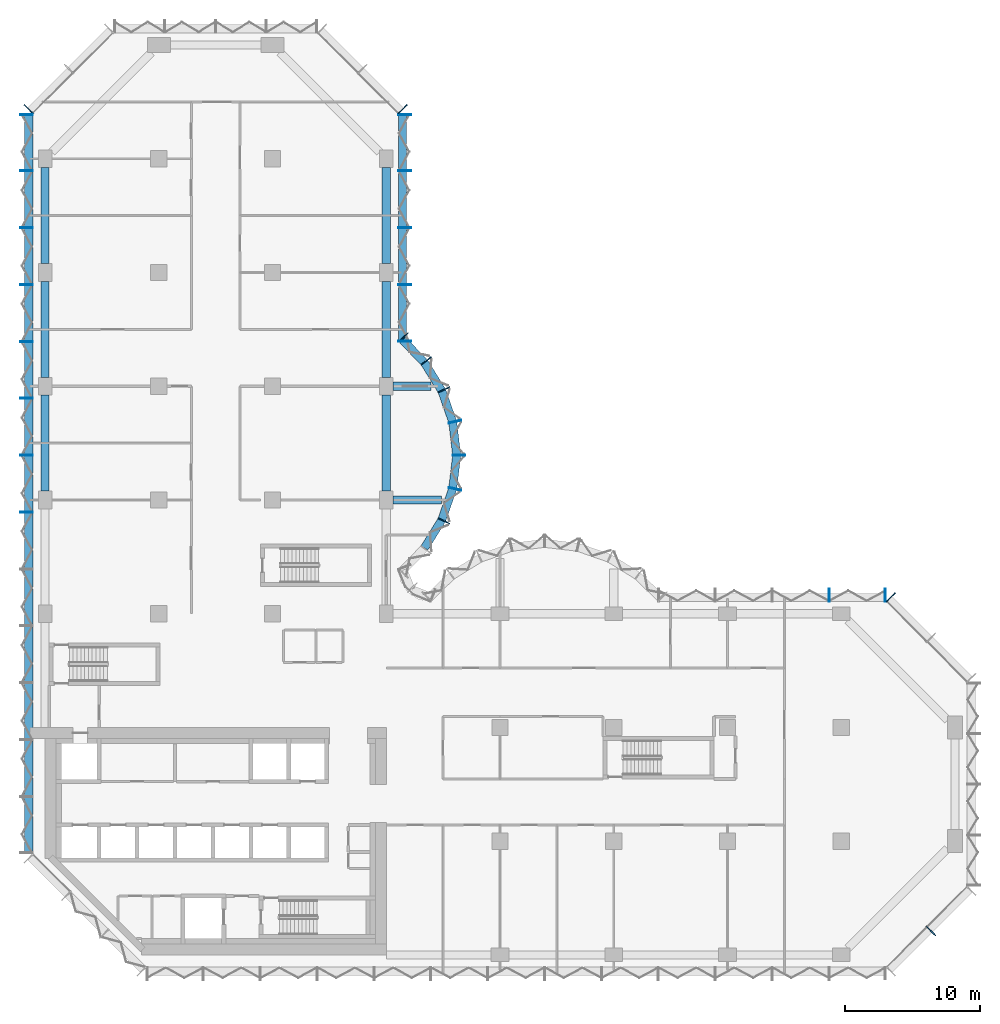
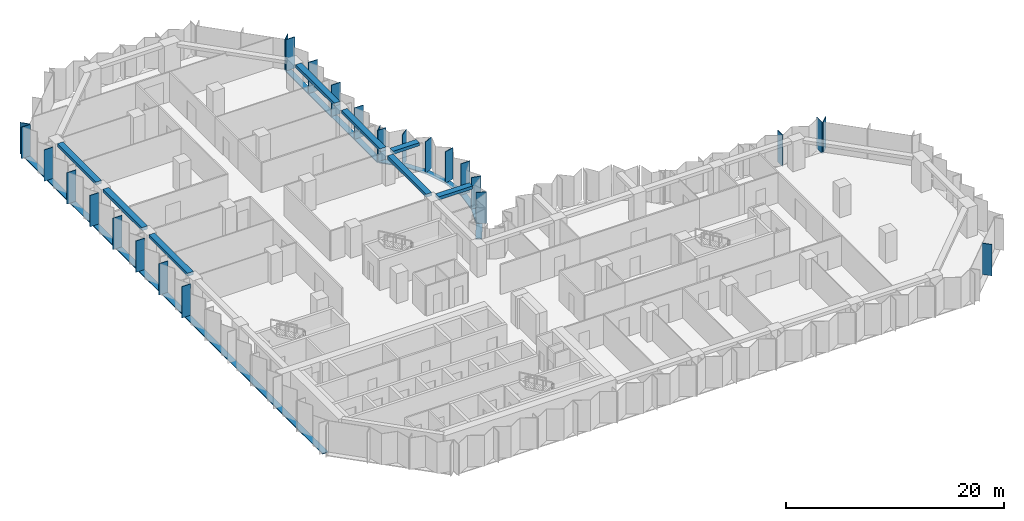
# One storey, part 3 of 13: 35 members, 8 beams, 8 elements without a shape of their own.
"""IFC4 building model written with IfcOpenShell, lengths in metres."""

from ifc_helpers import new_model, si_unit, direction, frame, origin, origin_2d, place, context, subcontext, project, spatial, rectangle, extrude, material, material_profile, profile_set, type_object, element, aggregate, save


model = new_model("IFC4")

# Units and contexts
model_context = context("Model", 3, precision=1e-05, world=origin(), true_north=direction((0.0, 1.0)))
body_context = subcontext(model_context, "Body", "Model", "MODEL_VIEW")
ifc_project = project(units=[si_unit("LENGTHUNIT", "METRE"), si_unit("AREAUNIT", "SQUARE_METRE"), si_unit("VOLUMEUNIT", "CUBIC_METRE"), si_unit("PLANEANGLEUNIT", "RADIAN"), si_unit("MASSUNIT", "GRAM", prefix="KILO")], contexts=[model_context])

# Site, building, storey
site_placement = place(None, origin())
site = spatial("IfcSite", under=ifc_project, at=site_placement, CompositionType="ELEMENT")
building_placement = place(site_placement, origin())
building = spatial("IfcBuilding", under=site, at=building_placement, Name="Brevane Broadcast Tower", CompositionType="ELEMENT")
storey_placement = place(building_placement, frame((0.0, 0.0, 124.10009765625)))
storey = spatial("IfcBuildingStorey", under=building, at=storey_placement, Name="L30", CompositionType="ELEMENT", Elevation=124.10009765625)

# Curtain wall, member
ifc_material_1 = material(Name="Aluminium 6063-T6 bronze anodised", Category="aluminium")
curtain_wall_type = type_object("IfcCurtainWallType", Name="CW-1 curtain wall", PredefinedType="NOTDEFINED", material=ifc_material_1)
curtain_wall_1_placement = place(storey_placement, origin())
curtain_wall_1 = element("IfcCurtainWall", 1, at=curtain_wall_1_placement, inside=storey, type_object=curtain_wall_type, Name="CW-1 typical tilted unit L30 south-east chamfer", PredefinedType="NOTDEFINED")
ifc_material_profile_1 = material_profile(ifc_material_1, rectangle(XDim=0.949951171875, YDim=0.070068359375, at=origin_2d()), Name="RECT 70x950")
ifc_profile_set_1 = profile_set([ifc_material_profile_1], Name="Aluminium 6063-T6 bronze anodised")
member_type_1 = type_object("IfcMemberType", Name="CW-1 mullion 70x950", PredefinedType="MULLION", material=ifc_profile_set_1)
member_1_placement = place(storey_placement, frame((65.435791015625, 1.76416015625, -0.150146484375), z_axis=(0.0, 0.0, 1.0), x_axis=(-0.707106781187, 0.707106781187, 0.0)))
member_1 = element("IfcMember", 2, at=member_1_placement, type_object=member_type_1, Name="CW-1 mullion", PredefinedType="MULLION", context=body_context, shape_type="SweptSolid", body=[
    extrude(rectangle(XDim=0.949951171875, YDim=0.070068359375, at=origin_2d()), origin(), (0.0, 0.0, 1.0), 3.5),
])
aggregate(curtain_wall_1, [member_1])

curtain_wall_2_placement = place(storey_placement, origin())
curtain_wall_2 = element("IfcCurtainWall", 3, at=curtain_wall_2_placement, inside=storey, type_object=curtain_wall_type, Name="CW-1 typical tilted unit L30 north-east chamfer", PredefinedType="NOTDEFINED")
member_2_placement = place(storey_placement, frame((62.460693359375, 26.4111328125, -0.150146484375), z_axis=(0.0, 0.0, 1.0), x_axis=(-0.707106781187, -0.707106781187, 0.0)))
member_2 = element("IfcMember", 4, at=member_2_placement, type_object=member_type_1, Name="CW-1 mullion", PredefinedType="MULLION", context=body_context, shape_type="SweptSolid", body=[
    extrude(rectangle(XDim=0.949951171875, YDim=0.070068359375, at=origin_2d()), origin(), (0.0, 0.0, 1.0), 3.5),
])
aggregate(curtain_wall_2, [member_2])

# Curtain wall, members
curtain_wall_3_placement = place(storey_placement, origin())
curtain_wall_3 = element("IfcCurtainWall", 5, at=curtain_wall_3_placement, inside=storey, type_object=curtain_wall_type, Name="CW-1 typical tilted unit L30 east arm north face", PredefinedType="NOTDEFINED")
member_3_placement = place(storey_placement, frame((62.06494140625, 26.574951171875, -0.150146484375), z_axis=(0.0, 0.0, 1.0), x_axis=(0.0, -1.0, 0.0)))
member_3 = element("IfcMember", 6, at=member_3_placement, type_object=member_type_1, Name="CW-1 mullion", PredefinedType="MULLION", context=body_context, shape_type="SweptSolid", body=[
    extrude(rectangle(XDim=0.949951171875, YDim=0.070068359375, at=origin_2d()), origin(), (0.0, 0.0, 1.0), 3.5),
])
member_4_placement = place(storey_placement, frame((57.89990234375, 26.574951171875, -0.150146484375), z_axis=(0.0, 0.0, 1.0), x_axis=(0.0, -1.0, 0.0)))
member_4 = element("IfcMember", 7, at=member_4_placement, type_object=member_type_1, Name="CW-1 mullion", PredefinedType="MULLION", context=body_context, shape_type="SweptSolid", body=[
    extrude(rectangle(XDim=0.949951171875, YDim=0.070068359375, at=origin_2d()), origin(), (0.0, 0.0, 1.0), 3.5),
])
aggregate(curtain_wall_3, [member_3, member_4])

curtain_wall_4_placement = place(storey_placement, origin())
curtain_wall_4 = element("IfcCurtainWall", 8, at=curtain_wall_4_placement, inside=storey, type_object=curtain_wall_type, Name="CW-1 typical tilted unit L30 north bow", PredefinedType="NOTDEFINED")
member_5_placement = place(storey_placement, frame((29.4580078125, 32.05322265625, -0.150146484375), z_axis=(0.0, 0.0, 1.0), x_axis=(-0.902860508933, 0.429933601163, 0.0)))
member_5 = element("IfcMember", 9, at=member_5_placement, type_object=member_type_1, Name="CW-1 mullion", PredefinedType="MULLION", context=body_context, shape_type="SweptSolid", body=[
    extrude(rectangle(XDim=0.949951171875, YDim=0.070068359375, at=origin_2d()), origin(), (0.0, 0.0, 1.0), 3.5),
])
member_6_placement = place(storey_placement, frame((30.28076171875, 34.411865234375, -0.150146484375), z_axis=(0.0, 0.0, 1.0), x_axis=(-0.974403430594, 0.224806482215, 0.0)))
member_6 = element("IfcMember", 10, at=member_6_placement, type_object=member_type_1, Name="CW-1 mullion", PredefinedType="MULLION", context=body_context, shape_type="SweptSolid", body=[
    extrude(rectangle(XDim=0.949951171875, YDim=0.070068359375, at=origin_2d()), origin(), (0.0, 0.0, 1.0), 3.5),
])
member_7_placement = place(storey_placement, frame((30.574951171875, 36.89990234375, -0.150146484375), z_axis=(0.0, 0.0, 1.0), x_axis=(-1.0, 0.0, 0.0)))
member_7 = element("IfcMember", 11, at=member_7_placement, type_object=member_type_1, Name="CW-1 mullion", PredefinedType="MULLION", context=body_context, shape_type="SweptSolid", body=[
    extrude(rectangle(XDim=0.949951171875, YDim=0.070068359375, at=origin_2d()), origin(), (0.0, 0.0, 1.0), 3.5),
])
member_8_placement = place(storey_placement, frame((30.28076171875, 39.38818359375, -0.150146484375), z_axis=(0.0, 0.0, 1.0), x_axis=(-0.974403430594, -0.224806482215, 0.0)))
member_8 = element("IfcMember", 12, at=member_8_placement, type_object=member_type_1, Name="CW-1 mullion", PredefinedType="MULLION", context=body_context, shape_type="SweptSolid", body=[
    extrude(rectangle(XDim=0.949951171875, YDim=0.070068359375, at=origin_2d()), origin(), (0.0, 0.0, 1.0), 3.5),
])
member_9_placement = place(storey_placement, frame((29.4580078125, 41.746826171875, -0.150146484375), z_axis=(0.0, 0.0, 1.0), x_axis=(-0.902860508933, -0.429933601163, 0.0)))
member_9 = element("IfcMember", 13, at=member_9_placement, type_object=member_type_1, Name="CW-1 mullion", PredefinedType="MULLION", context=body_context, shape_type="SweptSolid", body=[
    extrude(rectangle(XDim=0.949951171875, YDim=0.070068359375, at=origin_2d()), origin(), (0.0, 0.0, 1.0), 3.5),
])
member_10_placement = place(storey_placement, frame((28.1455078125, 43.8720703125, -0.150146484375), z_axis=(0.0, 0.0, 1.0), x_axis=(-0.788706642853, -0.614769738617, 0.0)))
member_10 = element("IfcMember", 14, at=member_10_placement, type_object=member_type_1, Name="CW-1 mullion", PredefinedType="MULLION", context=body_context, shape_type="SweptSolid", body=[
    extrude(rectangle(XDim=0.949951171875, YDim=0.070068359375, at=origin_2d()), origin(), (0.0, 0.0, 1.0), 3.5),
])
member_11_placement = place(storey_placement, frame((26.465087890625, 45.60595703125, -0.150146484375), z_axis=(0.0, 0.0, 1.0), x_axis=(-0.717253872699, -0.696811941702, 0.0)))
member_11 = element("IfcMember", 15, at=member_11_placement, type_object=member_type_1, Name="CW-1 mullion", PredefinedType="MULLION", context=body_context, shape_type="SweptSolid", body=[
    extrude(rectangle(XDim=0.949951171875, YDim=0.070068359375, at=origin_2d()), origin(), (0.0, 0.0, 1.0), 3.5),
])

curtain_wall_5_placement = place(storey_placement, origin())
curtain_wall_5 = element("IfcCurtainWall", 16, at=curtain_wall_5_placement, inside=storey, type_object=curtain_wall_type, Name="CW-1 typical tilted unit L30 north arm east face", PredefinedType="NOTDEFINED")
member_12_placement = place(storey_placement, frame((26.574951171875, 45.3349609375, -0.150146484375), z_axis=(0.0, 0.0, 1.0), x_axis=(-1.0, 0.0, 0.0)))
member_12 = element("IfcMember", 17, at=member_12_placement, type_object=member_type_1, Name="CW-1 mullion", PredefinedType="MULLION", context=body_context, shape_type="SweptSolid", body=[
    extrude(rectangle(XDim=0.949951171875, YDim=0.070068359375, at=origin_2d()), origin(), (0.0, 0.0, 1.0), 3.5),
])
member_13_placement = place(storey_placement, frame((26.574951171875, 49.5, -0.150146484375), z_axis=(0.0, 0.0, 1.0), x_axis=(-1.0, 0.0, 0.0)))
member_13 = element("IfcMember", 18, at=member_13_placement, type_object=member_type_1, Name="CW-1 mullion", PredefinedType="MULLION", context=body_context, shape_type="SweptSolid", body=[
    extrude(rectangle(XDim=0.949951171875, YDim=0.070068359375, at=origin_2d()), origin(), (0.0, 0.0, 1.0), 3.5),
])
member_14_placement = place(storey_placement, frame((26.574951171875, 53.699951171875, -0.150146484375), z_axis=(0.0, 0.0, 1.0), x_axis=(-1.0, 0.0, 0.0)))
member_14 = element("IfcMember", 19, at=member_14_placement, type_object=member_type_1, Name="CW-1 mullion", PredefinedType="MULLION", context=body_context, shape_type="SweptSolid", body=[
    extrude(rectangle(XDim=0.949951171875, YDim=0.070068359375, at=origin_2d()), origin(), (0.0, 0.0, 1.0), 3.5),
])
member_15_placement = place(storey_placement, frame((26.574951171875, 57.89990234375, -0.150146484375), z_axis=(0.0, 0.0, 1.0), x_axis=(-1.0, 0.0, 0.0)))
member_15 = element("IfcMember", 20, at=member_15_placement, type_object=member_type_1, Name="CW-1 mullion", PredefinedType="MULLION", context=body_context, shape_type="SweptSolid", body=[
    extrude(rectangle(XDim=0.949951171875, YDim=0.070068359375, at=origin_2d()), origin(), (0.0, 0.0, 1.0), 3.5),
])
member_16_placement = place(storey_placement, frame((26.574951171875, 62.06494140625, -0.150146484375), z_axis=(0.0, 0.0, 1.0), x_axis=(-1.0, 0.0, 0.0)))
member_16 = element("IfcMember", 21, at=member_16_placement, type_object=member_type_1, Name="CW-1 mullion", PredefinedType="MULLION", context=body_context, shape_type="SweptSolid", body=[
    extrude(rectangle(XDim=0.949951171875, YDim=0.070068359375, at=origin_2d()), origin(), (0.0, 0.0, 1.0), 3.5),
])

# Curtain wall, member
curtain_wall_6_placement = place(storey_placement, origin())
curtain_wall_6 = element("IfcCurtainWall", 22, at=curtain_wall_6_placement, inside=storey, type_object=curtain_wall_type, Name="CW-1 typical tilted unit L30 north arm north-east chamfer", PredefinedType="NOTDEFINED")
member_17_placement = place(storey_placement, frame((26.4111328125, 62.460693359375, -0.150146484375), z_axis=(0.0, 0.0, 1.0), x_axis=(-0.707106781187, -0.707106781187, 0.0)))
member_17 = element("IfcMember", 23, at=member_17_placement, type_object=member_type_1, Name="CW-1 mullion", PredefinedType="MULLION", context=body_context, shape_type="SweptSolid", body=[
    extrude(rectangle(XDim=0.949951171875, YDim=0.070068359375, at=origin_2d()), origin(), (0.0, 0.0, 1.0), 3.5),
])
aggregate(curtain_wall_6, [member_17])

curtain_wall_7_placement = place(storey_placement, origin())
curtain_wall_7 = element("IfcCurtainWall", 24, at=curtain_wall_7_placement, inside=storey, type_object=curtain_wall_type, Name="CW-1 typical tilted unit L30 north-west chamfer", PredefinedType="NOTDEFINED")
member_18_placement = place(storey_placement, frame((-1.211181640625, 62.460693359375, -0.150146484375), z_axis=(0.0, 0.0, 1.0), x_axis=(0.707106781187, -0.707106781187, 0.0)))
member_18 = element("IfcMember", 25, at=member_18_placement, type_object=member_type_1, Name="CW-1 mullion", PredefinedType="MULLION", context=body_context, shape_type="SweptSolid", body=[
    extrude(rectangle(XDim=0.949951171875, YDim=0.070068359375, at=origin_2d()), origin(), (0.0, 0.0, 1.0), 3.5),
])
aggregate(curtain_wall_7, [member_18])

# Curtain wall, members
curtain_wall_8_placement = place(storey_placement, origin())
curtain_wall_8 = element("IfcCurtainWall", 26, at=curtain_wall_8_placement, inside=storey, type_object=curtain_wall_type, Name="CW-1 typical tilted unit L30 west face", PredefinedType="NOTDEFINED")
member_19_placement = place(storey_placement, frame((-1.375, 62.06494140625, -0.150146484375), z_axis=(0.0, 0.0, 1.0), x_axis=(1.0, 0.0, 0.0)))
member_19 = element("IfcMember", 27, at=member_19_placement, type_object=member_type_1, Name="CW-1 mullion", PredefinedType="MULLION", context=body_context, shape_type="SweptSolid", body=[
    extrude(rectangle(XDim=0.949951171875, YDim=0.070068359375, at=origin_2d()), origin(), (0.0, 0.0, 1.0), 3.5),
])
member_20_placement = place(storey_placement, frame((-1.375, 57.89990234375, -0.150146484375), z_axis=(0.0, 0.0, 1.0), x_axis=(1.0, 0.0, 0.0)))
member_20 = element("IfcMember", 28, at=member_20_placement, type_object=member_type_1, Name="CW-1 mullion", PredefinedType="MULLION", context=body_context, shape_type="SweptSolid", body=[
    extrude(rectangle(XDim=0.949951171875, YDim=0.070068359375, at=origin_2d()), origin(), (0.0, 0.0, 1.0), 3.5),
])
member_21_placement = place(storey_placement, frame((-1.375, 53.699951171875, -0.150146484375), z_axis=(0.0, 0.0, 1.0), x_axis=(1.0, 0.0, 0.0)))
member_21 = element("IfcMember", 29, at=member_21_placement, type_object=member_type_1, Name="CW-1 mullion", PredefinedType="MULLION", context=body_context, shape_type="SweptSolid", body=[
    extrude(rectangle(XDim=0.949951171875, YDim=0.070068359375, at=origin_2d()), origin(), (0.0, 0.0, 1.0), 3.5),
])
member_22_placement = place(storey_placement, frame((-1.375, 49.5, -0.150146484375), z_axis=(0.0, 0.0, 1.0), x_axis=(1.0, 0.0, 0.0)))
member_22 = element("IfcMember", 30, at=member_22_placement, type_object=member_type_1, Name="CW-1 mullion", PredefinedType="MULLION", context=body_context, shape_type="SweptSolid", body=[
    extrude(rectangle(XDim=0.949951171875, YDim=0.070068359375, at=origin_2d()), origin(), (0.0, 0.0, 1.0), 3.5),
])
member_23_placement = place(storey_placement, frame((-1.375, 45.300048828125, -0.150146484375), z_axis=(0.0, 0.0, 1.0), x_axis=(1.0, 0.0, 0.0)))
member_23 = element("IfcMember", 31, at=member_23_placement, type_object=member_type_1, Name="CW-1 mullion", PredefinedType="MULLION", context=body_context, shape_type="SweptSolid", body=[
    extrude(rectangle(XDim=0.949951171875, YDim=0.070068359375, at=origin_2d()), origin(), (0.0, 0.0, 1.0), 3.5),
])
member_24_placement = place(storey_placement, frame((-1.375, 41.10009765625, -0.150146484375), z_axis=(0.0, 0.0, 1.0), x_axis=(1.0, 0.0, 0.0)))
member_24 = element("IfcMember", 32, at=member_24_placement, type_object=member_type_1, Name="CW-1 mullion", PredefinedType="MULLION", context=body_context, shape_type="SweptSolid", body=[
    extrude(rectangle(XDim=0.949951171875, YDim=0.070068359375, at=origin_2d()), origin(), (0.0, 0.0, 1.0), 3.5),
])
member_25_placement = place(storey_placement, frame((-1.375, 36.89990234375, -0.150146484375), z_axis=(0.0, 0.0, 1.0), x_axis=(1.0, 0.0, 0.0)))
member_25 = element("IfcMember", 33, at=member_25_placement, type_object=member_type_1, Name="CW-1 mullion", PredefinedType="MULLION", context=body_context, shape_type="SweptSolid", body=[
    extrude(rectangle(XDim=0.949951171875, YDim=0.070068359375, at=origin_2d()), origin(), (0.0, 0.0, 1.0), 3.5),
])
member_26_placement = place(storey_placement, frame((-1.375, 32.699951171875, -0.150146484375), z_axis=(0.0, 0.0, 1.0), x_axis=(1.0, 0.0, 0.0)))
member_26 = element("IfcMember", 34, at=member_26_placement, type_object=member_type_1, Name="CW-1 mullion", PredefinedType="MULLION", context=body_context, shape_type="SweptSolid", body=[
    extrude(rectangle(XDim=0.949951171875, YDim=0.070068359375, at=origin_2d()), origin(), (0.0, 0.0, 1.0), 3.5),
])

# Member
ifc_material_profile_2 = material_profile(ifc_material_1, rectangle(XDim=0.60009765625, YDim=0.10009765625, at=origin_2d()), Name="RECT 100x600")
ifc_profile_set_2 = profile_set([ifc_material_profile_2], Name="Aluminium 6063-T6 bronze anodised")
member_type_2 = type_object("IfcMemberType", Name="CW-1 transom 100x600", PredefinedType="USERDEFINED", material=ifc_profile_set_2)
member_27_placement = place(storey_placement, frame((28.023193359375, 30.0576171875, -0.2001953125), z_axis=(0.525427766759, 0.850838211365, 0.0), x_axis=(-0.850838211365, 0.525427766759, 0.0)))
member_27 = element("IfcMember", 35, at=member_27_placement, type_object=member_type_2, Name="CW-1 transom", ObjectType="TRANSOM", PredefinedType="USERDEFINED", context=body_context, shape_type="SweptSolid", body=[
    extrude(rectangle(XDim=0.60009765625, YDim=0.10009765625, at=origin_2d()), origin(), (0.0, 0.0, 1.0), 2.394775390625),
])

member_28_placement = place(storey_placement, frame((29.314208984375, 32.163818359375, -0.2001953125), z_axis=(0.329378497041, 0.944197969542, 0.0), x_axis=(-0.944197969542, 0.329378497041, 0.0)))
member_28 = element("IfcMember", 36, at=member_28_placement, type_object=member_type_2, Name="CW-1 transom", ObjectType="TRANSOM", PredefinedType="USERDEFINED", context=body_context, shape_type="SweptSolid", body=[
    extrude(rectangle(XDim=0.60009765625, YDim=0.10009765625, at=origin_2d()), origin(), (0.0, 0.0, 1.0), 2.394775390625),
])

member_29_placement = place(storey_placement, frame((30.117431640625, 34.499755859375, -0.2001953125), z_axis=(0.117603307202, 0.993060653805, 0.0), x_axis=(-0.993060653805, 0.117603307202, 0.0)))
member_29 = element("IfcMember", 37, at=member_29_placement, type_object=member_type_2, Name="CW-1 transom", ObjectType="TRANSOM", PredefinedType="USERDEFINED", context=body_context, shape_type="SweptSolid", body=[
    extrude(rectangle(XDim=0.60009765625, YDim=0.10009765625, at=origin_2d()), origin(), (0.0, 0.0, 1.0), 2.397705078125),
])

member_30_placement = place(storey_placement, frame((30.3994140625, 36.9189453125, -0.2001953125), z_axis=(-0.117591417, 0.993062061831, 0.0), x_axis=(-0.993062061831, -0.117591417, 0.0)))
member_30 = element("IfcMember", 38, at=member_30_placement, type_object=member_type_2, Name="CW-1 transom", ObjectType="TRANSOM", PredefinedType="USERDEFINED", context=body_context, shape_type="SweptSolid", body=[
    extrude(rectangle(XDim=0.60009765625, YDim=0.10009765625, at=origin_2d()), origin(), (0.0, 0.0, 1.0), 2.39794921875),
])

member_31_placement = place(storey_placement, frame((30.10302734375, 39.375, -0.2001953125), z_axis=(-0.329378497041, 0.944197969542, 0.0), x_axis=(-0.944197969542, -0.329378497041, 0.0)))
member_31 = element("IfcMember", 39, at=member_31_placement, type_object=member_type_2, Name="CW-1 transom", ObjectType="TRANSOM", PredefinedType="USERDEFINED", context=body_context, shape_type="SweptSolid", body=[
    extrude(rectangle(XDim=0.60009765625, YDim=0.10009765625, at=origin_2d()), origin(), (0.0, 0.0, 1.0), 2.394775390625),
])

member_32_placement = place(storey_placement, frame((29.281494140625, 41.704833984375, -0.2001953125), z_axis=(-0.525473345162, 0.850810063131, 0.0), x_axis=(-0.850810063131, -0.525473345162, 0.0)))
member_32 = element("IfcMember", 40, at=member_32_placement, type_object=member_type_2, Name="CW-1 transom", ObjectType="TRANSOM", PredefinedType="USERDEFINED", context=body_context, shape_type="SweptSolid", body=[
    extrude(rectangle(XDim=0.60009765625, YDim=0.10009765625, at=origin_2d()), origin(), (0.0, 0.0, 1.0), 2.39453125),
])

member_33_placement = place(storey_placement, frame((27.974365234375, 43.800537109375, -0.2001953125), z_axis=(-0.696823999134, 0.71724215871, 0.0), x_axis=(-0.71724215871, -0.696823999134, 0.0)))
member_33 = element("IfcMember", 41, at=member_33_placement, type_object=member_type_2, Name="CW-1 transom", ObjectType="TRANSOM", PredefinedType="USERDEFINED", context=body_context, shape_type="SweptSolid", body=[
    extrude(rectangle(XDim=0.60009765625, YDim=0.10009765625, at=origin_2d()), origin(), (0.0, 0.0, 1.0), 2.247802734375),
])

aggregate(curtain_wall_4, [member_5, member_6, member_7, member_8, member_9, member_10, member_11, member_27, member_28, member_29, member_30, member_31, member_32, member_33])

member_34_placement = place(storey_placement, frame((26.39990234375, 45.300048828125, -0.2001953125), z_axis=(0.0, 1.0, 0.0), x_axis=(-1.0, 0.0, 0.0)))
member_34 = element("IfcMember", 42, at=member_34_placement, type_object=member_type_2, Name="CW-1 transom", ObjectType="TRANSOM", PredefinedType="USERDEFINED", context=body_context, shape_type="SweptSolid", body=[
    extrude(rectangle(XDim=0.60009765625, YDim=0.10009765625, at=origin_2d()), origin(), (0.0, 0.0, 1.0), 16.800048828125),
])

aggregate(curtain_wall_5, [member_12, member_13, member_14, member_15, member_16, member_34])

member_35_placement = place(storey_placement, frame((-1.199951171875, 62.10009765625, -0.2001953125), z_axis=(0.0, -1.0, 0.0), x_axis=(1.0, 0.0, 0.0)))
member_35 = element("IfcMember", 43, at=member_35_placement, type_object=member_type_2, Name="CW-1 transom", ObjectType="TRANSOM", PredefinedType="USERDEFINED", context=body_context, shape_type="SweptSolid", body=[
    extrude(rectangle(XDim=0.60009765625, YDim=0.10009765625, at=origin_2d()), origin(), (0.0, 0.0, 1.0), 54.60009765625),
])

aggregate(curtain_wall_8, [member_19, member_20, member_21, member_22, member_23, member_24, member_25, member_26, member_35])

# Beams
ifc_material_2 = material(Name="Concrete C40/50", Category="concrete")
ifc_material_profile_3 = material_profile(ifc_material_2, rectangle(XDim=0.60009765625, YDim=0.35009765625, at=origin_2d()), Name="RC 600x350")
ifc_profile_set_3 = profile_set([ifc_material_profile_3], Name="Concrete C40/50")
beam_type_1 = type_object("IfcBeamType", Name="RC BRACKET BEAM 600x350 C40/50", PredefinedType="BEAM", material=ifc_profile_set_3)
beam_1_placement = place(storey_placement, frame((25.699951171875, 33.60009765625, 3.1748046875), z_axis=(1.0, 0.0, 0.0), x_axis=(0.0, 1.0, 0.0)))
element("IfcBeam", 44, at=beam_1_placement, inside=storey, type_object=beam_type_1, Name="EB2 L30-1", PredefinedType="BEAM", context=body_context, shape_type="SweptSolid", body=[
    extrude(rectangle(XDim=0.60009765625, YDim=0.35009765625, at=origin_2d()), origin(), (0.0, 0.0, 1.0), 3.56201171875),
])
beam_2_placement = place(storey_placement, frame((25.699951171875, 42.0, 3.1748046875), z_axis=(1.0, 0.0, 0.0), x_axis=(0.0, 1.0, 0.0)))
element("IfcBeam", 45, at=beam_2_placement, inside=storey, type_object=beam_type_1, Name="EB2 L30-2", PredefinedType="BEAM", context=body_context, shape_type="SweptSolid", body=[
    extrude(rectangle(XDim=0.60009765625, YDim=0.35009765625, at=origin_2d()), origin(), (0.0, 0.0, 1.0), 2.8115234375),
])
ifc_material_profile_4 = material_profile(ifc_material_2, rectangle(XDim=0.60009765625, YDim=0.35009765625, at=origin_2d()), Name="RC 600x350")
ifc_profile_set_4 = profile_set([ifc_material_profile_4], Name="Concrete C40/50")
beam_type_2 = type_object("IfcBeamType", Name="RC SPANDREL BEAM 600x350 C40/50", PredefinedType="SPANDREL", material=ifc_profile_set_4)
for number, where, z_axis, x_axis, name in (
    (46, (25.199951171875, 34.25, 3.1748046875), (0.0, 1.0, 0.0), (-1.0, 0.0, 0.0), "EB1 L30-13"),
    (47, (25.199951171875, 42.64990234375, 3.1748046875), (0.0, 1.0, 0.0), (-1.0, 0.0, 0.0), "EB1 L30-14"),
):
    element("IfcBeam", number, at=place(storey_placement, frame(where, z_axis=z_axis, x_axis=x_axis)), inside=storey, type_object=beam_type_2, Name=name, PredefinedType="SPANDREL", context=body_context, shape_type="SweptSolid", body=[
        extrude(rectangle(XDim=0.60009765625, YDim=0.35009765625, at=origin_2d()), origin(), (0.0, 0.0, 1.0), 7.10009765625),
    ])
for number, where, z_axis, x_axis, name in (
    (48, (25.199951171875, 51.050048828125, 3.1748046875), (0.0, 1.0, 0.0), (-1.0, 0.0, 0.0), "EB1 L30-15"),
    (49, (0.0, 58.14990234375, 3.1748046875), (0.0, -1.0, 0.0), (1.0, 0.0, 0.0), "EB1 L30-19"),
):
    element("IfcBeam", number, at=place(storey_placement, frame(where, z_axis=z_axis, x_axis=x_axis)), inside=storey, type_object=beam_type_2, Name=name, PredefinedType="SPANDREL", context=body_context, shape_type="SweptSolid", body=[
        extrude(rectangle(XDim=0.60009765625, YDim=0.35009765625, at=origin_2d()), origin(), (0.0, 0.0, 1.0), 7.099853515625),
    ])
for number, where, z_axis, x_axis, name in (
    (50, (0.0, 49.75, 3.1748046875), (0.0, -1.0, 0.0), (1.0, 0.0, 0.0), "EB1 L30-20"),
    (51, (0.0, 41.35009765625, 3.1748046875), (0.0, -1.0, 0.0), (1.0, 0.0, 0.0), "EB1 L30-21"),
):
    element("IfcBeam", number, at=place(storey_placement, frame(where, z_axis=z_axis, x_axis=x_axis)), inside=storey, type_object=beam_type_2, Name=name, PredefinedType="SPANDREL", context=body_context, shape_type="SweptSolid", body=[
        extrude(rectangle(XDim=0.60009765625, YDim=0.35009765625, at=origin_2d()), origin(), (0.0, 0.0, 1.0), 7.10009765625),
    ])

save(model, "model.ifc")
